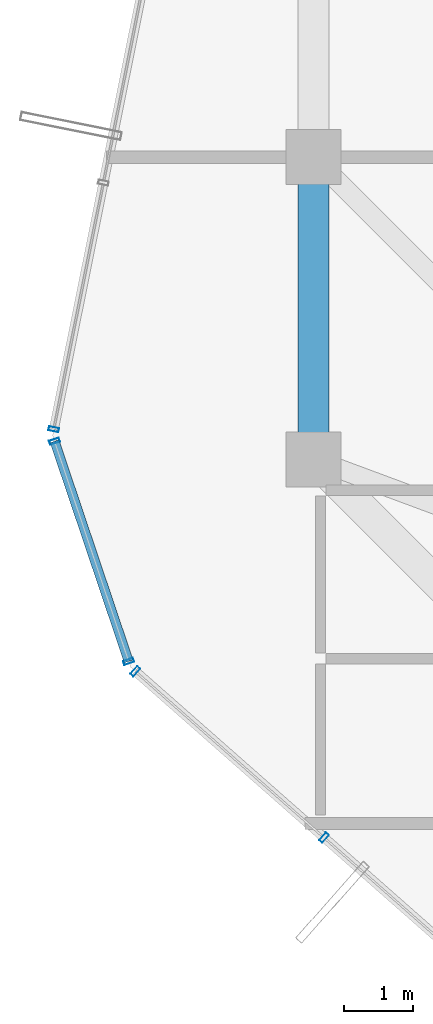
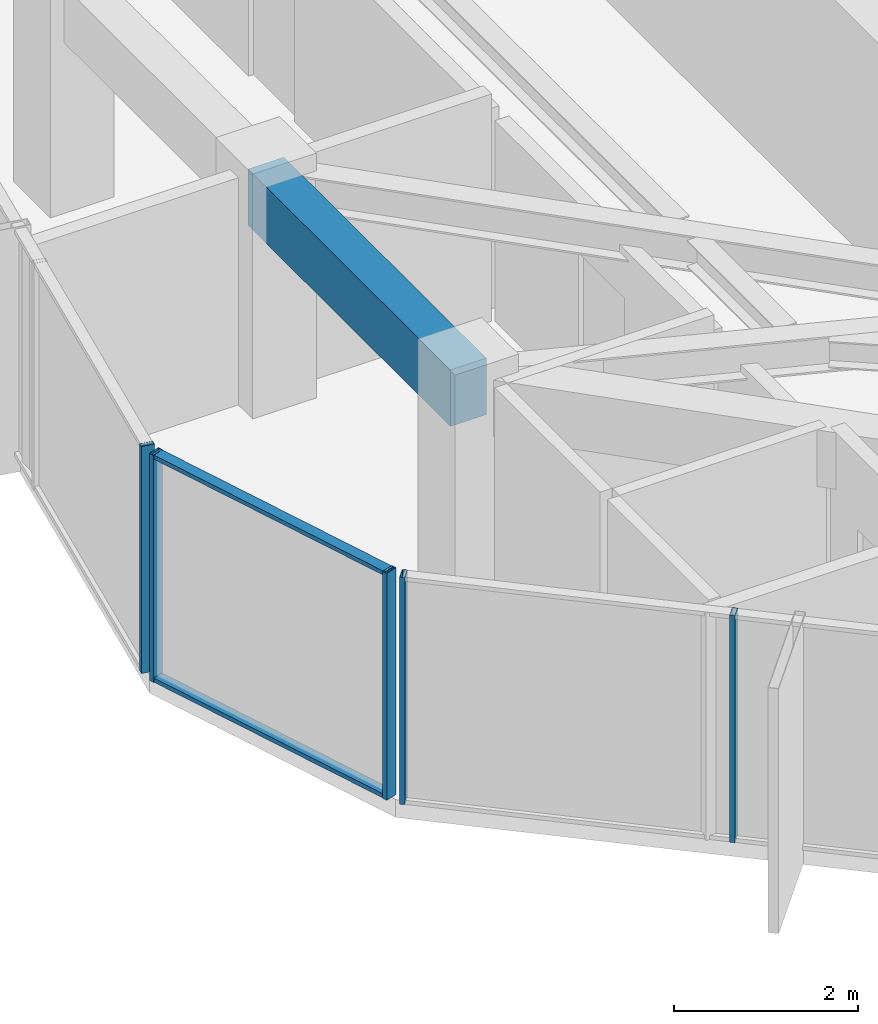
# One storey, part 5 of 28: 7 members, 1 beam, 3 elements without a shape of their own.
"""IFC4 building model written with IfcOpenShell, lengths in metres."""

import ifcopenshell
import ifcopenshell.guid

model = None  # the IFC model being written
_history = None  # IfcOwnerHistory: only IFC2X3 demands one
_inside = {}  # id of a spatial element -> (the spatial element, [elements in it])
_under = {}  # id of a project, library or spatial element -> (it, [spatial elements below it])
_declared = {}  # id of a project -> (the project, [libraries it declares])
_typed = {}  # id of a type object -> (the type object, [elements of that type])
_made_of = {}  # id of a material, layer set ... -> (it, [elements and type objects made of it])


def new_model(schema):
    """Start an empty IFC model of exactly this schema.

    Asked for "IFC4X3", IfcOpenShell would pick the latest addendum, in which some entities
    have other attributes; the version numbers below select the first issue.
    IFC2X3 requires an IfcOwnerHistory on every rooted entity: one is made here for all.
    """
    global model, _history
    if schema == "IFC4X3":
        model = ifcopenshell.file(schema_version=(4, 3, 0, 0))
    else:
        model = ifcopenshell.file(schema=schema)
    _inside.clear()
    _under.clear()
    _declared.clear()
    _typed.clear()
    _made_of.clear()
    _history = None
    if model.schema == "IFC2X3":
        org = make("IfcOrganization", Name="unknown")
        user = make(
            "IfcPersonAndOrganization",
            ThePerson=make("IfcPerson", FamilyName="unknown"),
            TheOrganization=org,
        )
        app = make(
            "IfcApplication",
            ApplicationDeveloper=org,
            Version="unknown",
            ApplicationFullName="unknown",
            ApplicationIdentifier="unknown",
        )
        _history = make(
            "IfcOwnerHistory",
            OwningUser=user,
            OwningApplication=app,
            ChangeAction="ADDED",
            CreationDate=0,
        )
    return model


def make(cls, **values):
    """One entity of the class cls with the attributes given. An attribute that is None is left unset."""
    return model.create_entity(
        cls, **{name: value for name, value in values.items() if value is not None}
    )


def rooted(cls, **values):
    """An entity with a GlobalId (a new one), such as an element, a storey or a relation."""
    return make(cls, GlobalId=ifcopenshell.guid.new(), OwnerHistory=_history, **values)


def si_unit(unit_type, name, prefix=None):
    """IfcSIUnit, for example si_unit("LENGTHUNIT", "METRE", prefix="MILLI")."""
    return make("IfcSIUnit", UnitType=unit_type, Prefix=prefix, Name=name)


def assignment(units):
    """IfcUnitAssignment: the units of a project."""
    return None if units is None else make("IfcUnitAssignment", Units=units)


def point(xyz):
    """IfcCartesianPoint."""
    return None if xyz is None else make("IfcCartesianPoint", Coordinates=xyz)


def direction(xyz):
    """IfcDirection."""
    return None if xyz is None else make("IfcDirection", DirectionRatios=xyz)


def frame(location, z_axis=None, x_axis=None):
    """IfcAxis2Placement3D, a coordinate frame: its origin and axes. An axis left out is left unset."""
    return make(
        "IfcAxis2Placement3D",
        Location=point(location),
        Axis=direction(z_axis),
        RefDirection=direction(x_axis),
    )


def frame_2d(location, x_axis=None):
    """IfcAxis2Placement2D, a coordinate frame in the plane: its origin and x axis."""
    return make(
        "IfcAxis2Placement2D", Location=point(location), RefDirection=direction(x_axis)
    )


def origin():
    """The frame at (0, 0, 0) with its axes left unset."""
    return frame((0.0, 0.0, 0.0))


def origin_2d():
    """The frame at (0, 0) in the plane with its x axis left unset."""
    return frame_2d((0.0, 0.0))


def place(relative_to, where):
    """IfcLocalPlacement: puts the frame where relative to a parent placement (None: the world)."""
    return make(
        "IfcLocalPlacement", PlacementRelTo=relative_to, RelativePlacement=where
    )


def context(
    kind, dimensions, precision=None, world=None, true_north=None, identifier=None
):
    """IfcGeometricRepresentationContext, for example the 3D "Model" context."""
    return make(
        "IfcGeometricRepresentationContext",
        ContextIdentifier=identifier,
        ContextType=kind,
        CoordinateSpaceDimension=dimensions,
        Precision=precision,
        WorldCoordinateSystem=world,
        TrueNorth=true_north,
    )


def subcontext(parent, identifier, kind, view, scale=None):
    """IfcGeometricRepresentationSubContext, for example "Body" below "Model"."""
    return make(
        "IfcGeometricRepresentationSubContext",
        ContextIdentifier=identifier,
        ContextType=kind,
        ParentContext=parent,
        TargetScale=scale,
        TargetView=view,
    )


def project(units=None, contexts=None):
    """IfcProject with its units and contexts."""
    return rooted(
        "IfcProject",
        Name="project",
        RepresentationContexts=contexts,
        UnitsInContext=assignment(units),
    )


def spatial(cls, under=None, at=None, **own):
    """A site, building, storey or space (cls), placed at a placement, below another one or the project."""
    s = rooted(cls, ObjectPlacement=at, **own)
    if under is not None:
        _under.setdefault(under.id(), (under, []))[1].append(s)
    return s


def profile(cls, at=None, kind="AREA", **sizes):
    """A parametric profile (cls). Its sizes go by their IFC names, for example OverallWidth=200.0."""
    return make(cls, ProfileType=kind, Position=at, **sizes)


def rectangle(**sizes):
    """IfcRectangleProfileDef."""
    return profile("IfcRectangleProfileDef", **sizes)


def hollow_rectangle(**sizes):
    """IfcRectangleHollowProfileDef."""
    return profile("IfcRectangleHollowProfileDef", **sizes)


def extrude(swept, where, along, depth):
    """IfcExtrudedAreaSolid: the profile swept, set in the frame where, extruded along a direction by depth."""
    return make(
        "IfcExtrudedAreaSolid",
        SweptArea=swept,
        Position=where,
        ExtrudedDirection=direction(along),
        Depth=depth,
    )


def shape(context_of_items, identifier, shape_type, items):
    """IfcShapeRepresentation: the items that make up one representation, for example the "Body"."""
    return make(
        "IfcShapeRepresentation",
        ContextOfItems=context_of_items,
        RepresentationIdentifier=identifier,
        RepresentationType=shape_type,
        Items=items,
    )


def source(mapping_origin, context_of_items, identifier, shape_type, items):
    """IfcRepresentationMap: a shape defined once, which mapped items show again and again."""
    return make(
        "IfcRepresentationMap",
        MappingOrigin=mapping_origin,
        MappedRepresentation=shape(context_of_items, identifier, shape_type, items),
    )


def transform(
    local_origin,
    x_axis=None,
    y_axis=None,
    z_axis=None,
    scale=None,
    scale2=None,
    scale3=None,
    uniform=True,
):
    """IfcCartesianTransformationOperator3D, or its non-uniform kind. x_axis, y_axis, z_axis: its Axis1, 2, 3."""
    if uniform:
        return make(
            "IfcCartesianTransformationOperator3D",
            Axis1=direction(x_axis),
            Axis2=direction(y_axis),
            LocalOrigin=point(local_origin),
            Scale=scale,
            Axis3=direction(z_axis),
        )
    return make(
        "IfcCartesianTransformationOperator3DnonUniform",
        Axis1=direction(x_axis),
        Axis2=direction(y_axis),
        LocalOrigin=point(local_origin),
        Scale=scale,
        Axis3=direction(z_axis),
        Scale2=scale2,
        Scale3=scale3,
    )


def mapped(mapping_source, mapping_target):
    """IfcMappedItem: shows the shape of a source again, moved by a transform."""
    return make(
        "IfcMappedItem", MappingSource=mapping_source, MappingTarget=mapping_target
    )


def material(Name=None, Category=None):
    """IfcMaterial."""
    return make("IfcMaterial", Name=Name, Category=Category)


def layer(
    of_material, thickness, ventilated=None, Name=None, Category=None, Priority=None
):
    """IfcMaterialLayer: one layer of a wall or slab, of a material (None: an air gap)."""
    return make(
        "IfcMaterialLayer",
        Material=of_material,
        LayerThickness=thickness,
        IsVentilated=ventilated,
        Name=Name,
        Category=Category,
        Priority=Priority,
    )


def layer_set(layers, Name=None):
    """IfcMaterialLayerSet."""
    return make("IfcMaterialLayerSet", MaterialLayers=layers, LayerSetName=Name)


def material_profile(
    of_material, cross_section, Name=None, Category=None, Priority=None
):
    """IfcMaterialProfile: a cross section and its material."""
    return make(
        "IfcMaterialProfile",
        Name=Name,
        Material=of_material,
        Profile=cross_section,
        Priority=Priority,
        Category=Category,
    )


def profile_set(profiles, Name=None, composite=None):
    """IfcMaterialProfileSet."""
    return make(
        "IfcMaterialProfileSet",
        Name=Name,
        MaterialProfiles=profiles,
        CompositeProfile=composite,
    )


def made_of(thing, what):
    """Note that an element or type object is made of a material, layer set ...; save() writes the relation."""
    if what is not None:
        _made_of.setdefault(what.id(), (what, []))[1].append(thing)
    return thing


def type_object(cls, material=None, **own):
    """A type object (cls), such as IfcWallType, which elements share."""
    return made_of(rooted(cls, **own), material)


def element(
    cls,
    number,
    at=None,
    inside=None,
    cuts=None,
    type_object=None,
    material=None,
    context=None,
    identifier="Body",
    shape_type=None,
    held_by="IfcProductDefinitionShape",
    body=None,
    shapes=None,
    **own,
):
    """One element of the class cls, such as IfcWall. Its Tag is "e" and its number.

    at: its placement. inside: the storey or other place that contains it. cuts: it is an
    opening in that element (IfcRelVoidsElement). A single representation is given by context,
    identifier, shape_type and body (its items); several are given by shapes. held_by: the class
    of the entity that holds the representations. save() writes the other relations.
    """
    e = rooted(cls, Tag="e%d" % number, ObjectPlacement=at, **own)
    if body is not None:
        shapes = [shape(context, identifier, shape_type, body)]
    if shapes is not None:
        e.Representation = make(held_by, Representations=shapes)
    if inside is not None:
        _inside.setdefault(inside.id(), (inside, []))[1].append(e)
    if cuts is not None:
        rooted(
            "IfcRelVoidsElement", RelatingBuildingElement=cuts, RelatedOpeningElement=e
        )
    if type_object is not None:
        _typed.setdefault(type_object.id(), (type_object, []))[1].append(e)
    return made_of(e, material)


def aggregate(whole, parts):
    """IfcRelAggregates: a whole, such as a stair, and the parts it consists of."""
    return rooted("IfcRelAggregates", RelatingObject=whole, RelatedObjects=parts)


def save(model, path):
    """Write the relations noted so far, then the file.

    IfcRelAggregates (storeys below a building ...), IfcRelContainedInSpatialStructure (elements
    in a storey), IfcRelDefinesByType, IfcRelAssociatesMaterial and IfcRelDeclares: one each for
    every whole, place, type object, material and project.
    """
    for whole, parts in _under.values():
        aggregate(whole, parts)
    for where, things in _inside.values():
        rooted(
            "IfcRelContainedInSpatialStructure",
            RelatedElements=things,
            RelatingStructure=where,
        )
    for kind, things in _typed.values():
        rooted("IfcRelDefinesByType", RelatedObjects=things, RelatingType=kind)
    for what, things in _made_of.values():
        rooted("IfcRelAssociatesMaterial", RelatedObjects=things, RelatingMaterial=what)
    for by, libraries in _declared.values():
        rooted("IfcRelDeclares", RelatingContext=by, RelatedDefinitions=libraries)
    model.write(path)


model = new_model("IFC4")

# Units and contexts
model_context = context("Model", 3, precision=1e-05, world=origin(), true_north=direction((0.0, 1.0)))
body_context = subcontext(model_context, "Body", "Model", "MODEL_VIEW")
ifc_project = project(units=[si_unit("LENGTHUNIT", "METRE"), si_unit("AREAUNIT", "SQUARE_METRE"), si_unit("VOLUMEUNIT", "CUBIC_METRE"), si_unit("PLANEANGLEUNIT", "RADIAN"), si_unit("MASSUNIT", "GRAM", prefix="KILO")], contexts=[model_context])

# Site, building, storey
site_placement = place(None, origin())
site = spatial("IfcSite", under=ifc_project, at=site_placement, CompositionType="ELEMENT")
building_placement = place(site_placement, origin())
building = spatial("IfcBuilding", under=site, at=building_placement, Name="Veraguas Prism Commons", CompositionType="ELEMENT")
storey_placement = place(building_placement, frame((0.0, 0.0, 248.0)))
storey = spatial("IfcBuildingStorey", under=building, at=storey_placement, Name="L70", CompositionType="ELEMENT", Elevation=248.0)

# Beam
ifc_material_1 = material(Name="Concrete C50/60", Category="concrete")
ifc_material_profile_1 = material_profile(ifc_material_1, rectangle(XDim=0.449951171875, YDim=0.75, at=origin_2d()), Name="RC450X750")
ifc_profile_set_1 = profile_set([ifc_material_profile_1], Name="Concrete C50/60")
beam_type = type_object("IfcBeamType", Name="Perimeter Spandrel Upper RC 450x750", PredefinedType="SPANDREL", material=ifc_profile_set_1)
beam_placement = place(storey_placement, frame((10.199951171875, 24.0, 2.639892578125), z_axis=(0.0, -1.0, 0.0), x_axis=(1.0, 0.0, 0.0)))
element("IfcBeam", 1, at=beam_placement, inside=storey, type_object=beam_type, Name="Perimeter Spandrel Beam L70-SP08", PredefinedType="SPANDREL", context=body_context, shape_type="SweptSolid", body=[
    extrude(rectangle(XDim=0.449951171875, YDim=0.75, at=origin_2d()), origin(), (0.0, 0.0, 1.0), 4.39990234375),
])

# Curtain wall, member
ifc_material_2 = material(Name="Anodised aluminium EN AW-6063 T6", Category="aluminium")
ifc_layer = layer(ifc_material_2, 0.14990234375, Name="Unitised Flush Curtain Wall Zone 4", Category="aluminium")
ifc_layer_set = layer_set([ifc_layer], Name="Anodised aluminium EN AW-6063 T6")
curtain_wall_type = type_object("IfcCurtainWallType", Name="Unitised Flush Curtain Wall Zone 4", PredefinedType="NOTDEFINED", material=ifc_layer_set)
curtain_wall_1_placement = place(storey_placement, origin())
curtain_wall_1 = element("IfcCurtainWall", 2, at=curtain_wall_1_placement, inside=storey, type_object=curtain_wall_type, Name="Tower Facade Curtain Wall L70-F3", PredefinedType="NOTDEFINED")
ifc_material_profile_2 = material_profile(ifc_material_2, hollow_rectangle(XDim=0.06005859375, YDim=0.14990234375, WallThickness=0.0029296875, at=origin_2d()), Name="AL60X150X3")
ifc_profile_set_2 = profile_set([ifc_material_profile_2], Name="Anodised aluminium EN AW-6063 T6")
member_type_1 = type_object("IfcMemberType", Name="Curtain Wall Mullion Upper AL 60x150x3", PredefinedType="MULLION", material=ifc_profile_set_2)
shared_shape_1 = source(origin(), body_context, "Body", "SweptSolid", [
    extrude(hollow_rectangle(XDim=0.06005859375, YDim=0.14990234375, WallThickness=0.0029296875, at=origin_2d()), origin(), (0.0, 0.0, 1.0), 3.014892578125),
])
member_1_placement = place(storey_placement, frame((6.418212890625, 20.0380859375, 0.0), z_axis=(0.0, 0.0, 1.0), x_axis=(-0.197318571184, -0.980339421561, 0.0)))
member_1 = element("IfcMember", 3, at=member_1_placement, type_object=member_type_1, Name="CW-Z4 Mullion 5", PredefinedType="MULLION", context=body_context, shape_type="MappedRepresentation", body=[
    mapped(shared_shape_1, transform((0.0, 0.0, 0.0), scale=1.0)),
])
aggregate(curtain_wall_1, [member_1])

# Curtain wall, members
curtain_wall_2_placement = place(storey_placement, origin())
curtain_wall_2 = element("IfcCurtainWall", 4, at=curtain_wall_2_placement, inside=storey, type_object=curtain_wall_type, Name="Tower Facade Curtain Wall L70-F4", PredefinedType="NOTDEFINED")
member_2_placement = place(storey_placement, frame((7.605224609375, 16.51416015625, 0.0), z_axis=(0.0, 0.0, 1.0), x_axis=(0.750347634036, -0.661043438888, 0.0)))
member_2 = element("IfcMember", 5, at=member_2_placement, type_object=member_type_1, Name="CW-Z4 Mullion 1", PredefinedType="MULLION", context=body_context, shape_type="MappedRepresentation", body=[
    mapped(shared_shape_1, transform((0.0, 0.0, 0.0), scale=1.0)),
])
member_3_placement = place(storey_placement, frame((10.352783203125, 14.09375, 0.0), z_axis=(0.0, 0.0, 1.0), x_axis=(0.750347634036, -0.661043438888, 0.0)))
member_3 = element("IfcMember", 6, at=member_3_placement, type_object=member_type_1, Name="CW-Z4 Mullion 2", PredefinedType="MULLION", context=body_context, shape_type="MappedRepresentation", body=[
    mapped(shared_shape_1, transform((0.0, 0.0, 0.0), scale=1.0)),
])
aggregate(curtain_wall_2, [member_2, member_3])

curtain_wall_3_placement = place(storey_placement, origin())
curtain_wall_3 = element("IfcCurtainWall", 7, at=curtain_wall_3_placement, inside=storey, type_object=curtain_wall_type, Name="Chamfer Curtain Wall L70-C4", PredefinedType="NOTDEFINED")
member_4_placement = place(storey_placement, frame((6.42919921875, 19.864501953125, 0.0), z_axis=(0.0, 0.0, 1.0), x_axis=(0.319250427801, -0.94767038803, 0.0)))
member_4 = element("IfcMember", 8, at=member_4_placement, type_object=member_type_1, Name="CW-Z4 Mullion 1", PredefinedType="MULLION", context=body_context, shape_type="MappedRepresentation", body=[
    mapped(shared_shape_1, transform((0.0, 0.0, 0.0), scale=1.0)),
])
member_5_placement = place(storey_placement, frame((7.509033203125, 16.6591796875, 0.0), z_axis=(0.0, 0.0, 1.0), x_axis=(0.319250427801, -0.94767038803, 0.0)))
member_5 = element("IfcMember", 9, at=member_5_placement, type_object=member_type_1, Name="CW-Z4 Mullion 2", PredefinedType="MULLION", context=body_context, shape_type="MappedRepresentation", body=[
    mapped(shared_shape_1, transform((0.0, 0.0, 0.0), scale=1.0)),
])
ifc_material_profile_3 = material_profile(ifc_material_2, hollow_rectangle(XDim=0.054931640625, YDim=0.135009765625, WallThickness=0.0029296875, at=origin_2d()), Name="AL55X135X3")
ifc_profile_set_3 = profile_set([ifc_material_profile_3], Name="Anodised aluminium EN AW-6063 T6")
member_type_2 = type_object("IfcMemberType", Name="Curtain Wall Transom Standard AL 55x135x3", PredefinedType="USERDEFINED", material=ifc_profile_set_3)
shared_shape_2 = source(origin(), body_context, "Body", "SweptSolid", [
    extrude(hollow_rectangle(XDim=0.054931640625, YDim=0.135009765625, WallThickness=0.0029296875, at=origin_2d()), origin(), (0.0, 0.0, 1.0), 3.38232421875),
])
member_6_placement = place(storey_placement, frame((6.42919921875, 19.864501953125, 0.027587890625), z_axis=(0.319257764787, -0.947667916321, 0.0), x_axis=(0.0, 0.0, 1.0)))
member_6 = element("IfcMember", 10, at=member_6_placement, type_object=member_type_2, Name="CW-Z4 Transom 1", ObjectType="TRANSOM", PredefinedType="USERDEFINED", context=body_context, shape_type="MappedRepresentation", body=[
    mapped(shared_shape_2, transform((0.0, 0.0, 0.0), scale=1.0)),
])
member_7_placement = place(storey_placement, frame((6.42919921875, 19.864501953125, 2.987548828125), z_axis=(0.319257764787, -0.947667916321, 0.0), x_axis=(0.0, 0.0, 1.0)))
member_7 = element("IfcMember", 11, at=member_7_placement, type_object=member_type_2, Name="CW-Z4 Transom 2", ObjectType="TRANSOM", PredefinedType="USERDEFINED", context=body_context, shape_type="MappedRepresentation", body=[
    mapped(shared_shape_2, transform((0.0, 0.0, 0.0), scale=1.0)),
])
aggregate(curtain_wall_3, [member_4, member_5, member_6, member_7])

save(model, "model.ifc")
